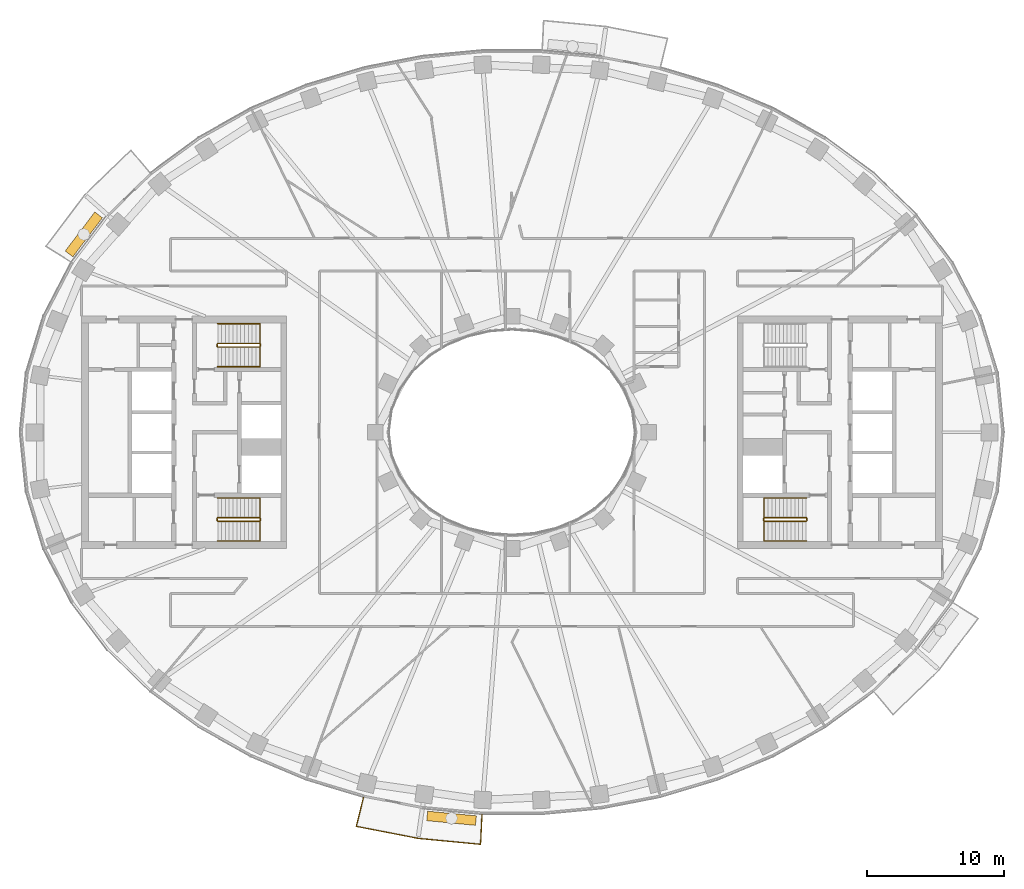
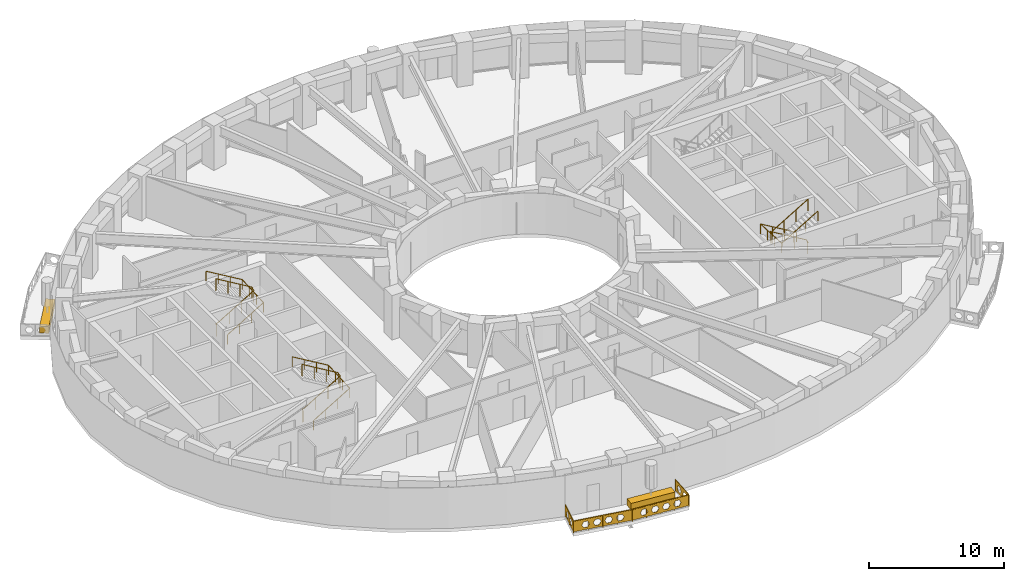
# One storey, part 14 of 16: 7 railings, 2 coverings.
"""IFC4 building model written with IfcOpenShell, lengths in metres."""

from ifc_helpers import new_model, si_unit, direction, frame, origin, origin_2d, place, context, subcontext, project, spatial, polyline, rectangle, outline, extrude, material, type_object, element, save


model = new_model("IFC4")

# Units and contexts
model_context = context("Model", 3, precision=1e-05, world=origin(), true_north=direction((0.0, 1.0)))
body_context = subcontext(model_context, "Body", "Model", "MODEL_VIEW")
ifc_project = project(units=[si_unit("LENGTHUNIT", "METRE"), si_unit("AREAUNIT", "SQUARE_METRE"), si_unit("VOLUMEUNIT", "CUBIC_METRE"), si_unit("PLANEANGLEUNIT", "RADIAN"), si_unit("MASSUNIT", "GRAM", prefix="KILO")], contexts=[model_context])

# Site, building, storey
site_placement = place(None, origin())
site = spatial("IfcSite", under=ifc_project, at=site_placement, CompositionType="ELEMENT")
building_placement = place(site_placement, origin())
building = spatial("IfcBuilding", under=site, at=building_placement, Name="Noorbagh Ring Tower", CompositionType="ELEMENT")
storey_placement = place(building_placement, frame((0.0, 0.0, 124.0)))
storey = spatial("IfcBuildingStorey", under=building, at=storey_placement, Name="L28", CompositionType="ELEMENT", Elevation=124.0)

# Railings
ifc_material_1 = material(Name="Stainless steel", Category="steel")
railing_type_1 = type_object("IfcRailingType", Name="CORE-STAIR-GUARD", PredefinedType="GUARDRAIL", material=ifc_material_1)
railing_1_placement = place(storey_placement, frame((-21.580078125, 6.300048828125, 0.0)))
element("IfcRailing", 1, at=railing_1_placement, inside=storey, type_object=railing_type_1, Name="L28 ST1 stair guard", PredefinedType="GUARDRAIL", context=body_context, shape_type="SweptSolid", body=[
    extrude(rectangle(XDim=0.048095703125, YDim=0.048095703125, at=origin_2d()), frame((0.0, 0.0, 1.076171875), z_axis=(0.0, 1.0, 0.0), x_axis=(-1.0, 0.0, 0.0)), (0.0, 0.0, 1.0), 0.14990234375),
    extrude(rectangle(XDim=0.048095703125, YDim=0.048095703125, at=origin_2d()), frame((0.0, 0.14990234375, 1.076171875), z_axis=(0.188775798145, -0.754182335027, 0.628945707965), x_axis=(0.970072785993, 0.242814311512, 0.0)), (0.0, 0.0, 1.0), 0.26513671875),
    extrude(rectangle(XDim=0.048095703125, YDim=0.048095703125, at=origin_2d()), frame((0.050048828125, -0.050048828125, 1.24267578125), z_axis=(0.859308565015, 0.0, 0.511457515432), x_axis=(0.0, 1.0, 0.0)), (0.0, 0.0, 1.0), 3.58447265625),
    extrude(rectangle(XDim=0.048095703125, YDim=0.048095703125, at=origin_2d()), frame((3.130126953125, -0.050048828125, 3.076171875), z_axis=(0.707106781187, 0.707106781187, 0.0), x_axis=(-0.707106781187, 0.707106781187, 0.0)), (0.0, 0.0, 1.0), 0.07080078125),
    extrude(rectangle(XDim=0.048095703125, YDim=0.048095703125, at=origin_2d()), frame((3.18017578125, 0.0, 3.076171875), z_axis=(0.0, 1.0, 0.0), x_axis=(-1.0, 0.0, 0.0)), (0.0, 0.0, 1.0), 0.14990234375),
    extrude(rectangle(XDim=0.048095703125, YDim=0.048095703125, at=origin_2d()), frame((3.18017578125, 0.14990234375, 3.076171875), z_axis=(-0.27628659633, 0.27628659633, 0.920506074601), x_axis=(-0.707106781187, -0.707106781187, 0.0)), (0.0, 0.0, 1.0), 0.18115234375),
    extrude(rectangle(XDim=0.048095703125, YDim=0.048095703125, at=origin_2d()), frame((3.130126953125, 0.199951171875, 3.24267578125), z_axis=(-0.859308565015, 0.0, 0.511457515432), x_axis=(0.0, -1.0, 0.0)), (0.0, 0.0, 1.0), 3.58447265625),
    extrude(rectangle(XDim=0.0419921875, YDim=0.0419921875, at=origin_2d()), origin(), (0.0, 0.0, 1.0), 1.052001953125),
    extrude(rectangle(XDim=0.0419921875, YDim=0.0419921875, at=origin_2d()), frame((1.07666015625, -0.050048828125, 0.77783203125)), (0.0, 0.0, 1.0), 1.052001953125),
    extrude(rectangle(XDim=0.0419921875, YDim=0.0419921875, at=origin_2d()), frame((2.103515625, -0.050048828125, 1.388916015625)), (0.0, 0.0, 1.0), 1.052001953125),
    extrude(rectangle(XDim=0.0419921875, YDim=0.0419921875, at=origin_2d()), frame((3.130126953125, -0.050048828125, 2.0)), (0.0, 0.0, 1.0), 1.052001953125),
    extrude(rectangle(XDim=0.0419921875, YDim=0.0419921875, at=origin_2d()), frame((3.130126953125, 0.199951171875, 2.166748046875)), (0.0, 0.0, 1.0), 1.052001953125),
    extrude(rectangle(XDim=0.0419921875, YDim=0.0419921875, at=origin_2d()), frame((2.103515625, 0.199951171875, 2.77783203125)), (0.0, 0.0, 1.0), 1.052001953125),
    extrude(rectangle(XDim=0.0419921875, YDim=0.0419921875, at=origin_2d()), frame((1.07666015625, 0.199951171875, 3.388916015625)), (0.0, 0.0, 1.0), 1.052001953125),
    extrude(rectangle(XDim=0.0419921875, YDim=0.0419921875, at=origin_2d()), frame((0.050048828125, 0.199951171875, 4.0)), (0.0, 0.0, 1.0), 1.052001953125),
])
railing_2_placement = place(storey_placement, frame((-21.580078125, -6.449951171875, 0.0)))
element("IfcRailing", 2, at=railing_2_placement, inside=storey, type_object=railing_type_1, Name="L28 ST2 stair guard", PredefinedType="GUARDRAIL", context=body_context, shape_type="SweptSolid", body=[
    extrude(rectangle(XDim=0.048095703125, YDim=0.048095703125, at=origin_2d()), frame((0.0, 0.0, 1.076171875), z_axis=(0.0, 1.0, 0.0), x_axis=(-1.0, 0.0, 0.0)), (0.0, 0.0, 1.0), 0.14990234375),
    extrude(rectangle(XDim=0.048095703125, YDim=0.048095703125, at=origin_2d()), frame((0.0, 0.14990234375, 1.076171875), z_axis=(0.188775798145, -0.754182335027, 0.628945707965), x_axis=(0.970072785993, 0.242814311512, 0.0)), (0.0, 0.0, 1.0), 0.26513671875),
    extrude(rectangle(XDim=0.048095703125, YDim=0.048095703125, at=origin_2d()), frame((0.050048828125, -0.050048828125, 1.24267578125), z_axis=(0.859308565015, 0.0, 0.511457515432), x_axis=(0.0, 1.0, 0.0)), (0.0, 0.0, 1.0), 3.58447265625),
    extrude(rectangle(XDim=0.048095703125, YDim=0.048095703125, at=origin_2d()), frame((3.130126953125, -0.050048828125, 3.076171875), z_axis=(0.707106781187, 0.707106781187, 0.0), x_axis=(-0.707106781187, 0.707106781187, 0.0)), (0.0, 0.0, 1.0), 0.07080078125),
    extrude(rectangle(XDim=0.048095703125, YDim=0.048095703125, at=origin_2d()), frame((3.18017578125, 0.0, 3.076171875), z_axis=(0.0, 1.0, 0.0), x_axis=(-1.0, 0.0, 0.0)), (0.0, 0.0, 1.0), 0.14990234375),
    extrude(rectangle(XDim=0.048095703125, YDim=0.048095703125, at=origin_2d()), frame((3.18017578125, 0.14990234375, 3.076171875), z_axis=(-0.27628659633, 0.27628659633, 0.920506074601), x_axis=(-0.707106781187, -0.707106781187, 0.0)), (0.0, 0.0, 1.0), 0.18115234375),
    extrude(rectangle(XDim=0.048095703125, YDim=0.048095703125, at=origin_2d()), frame((3.130126953125, 0.199951171875, 3.24267578125), z_axis=(-0.859308565015, 0.0, 0.511457515432), x_axis=(0.0, -1.0, 0.0)), (0.0, 0.0, 1.0), 3.58447265625),
    extrude(rectangle(XDim=0.0419921875, YDim=0.0419921875, at=origin_2d()), origin(), (0.0, 0.0, 1.0), 1.052001953125),
    extrude(rectangle(XDim=0.0419921875, YDim=0.0419921875, at=origin_2d()), frame((1.07666015625, -0.050048828125, 0.77783203125)), (0.0, 0.0, 1.0), 1.052001953125),
    extrude(rectangle(XDim=0.0419921875, YDim=0.0419921875, at=origin_2d()), frame((2.103515625, -0.050048828125, 1.388916015625)), (0.0, 0.0, 1.0), 1.052001953125),
    extrude(rectangle(XDim=0.0419921875, YDim=0.0419921875, at=origin_2d()), frame((3.130126953125, -0.050048828125, 2.0)), (0.0, 0.0, 1.0), 1.052001953125),
    extrude(rectangle(XDim=0.0419921875, YDim=0.0419921875, at=origin_2d()), frame((3.130126953125, 0.199951171875, 2.166748046875)), (0.0, 0.0, 1.0), 1.052001953125),
    extrude(rectangle(XDim=0.0419921875, YDim=0.0419921875, at=origin_2d()), frame((2.103515625, 0.199951171875, 2.77783203125)), (0.0, 0.0, 1.0), 1.052001953125),
    extrude(rectangle(XDim=0.0419921875, YDim=0.0419921875, at=origin_2d()), frame((1.07666015625, 0.199951171875, 3.388916015625)), (0.0, 0.0, 1.0), 1.052001953125),
    extrude(rectangle(XDim=0.0419921875, YDim=0.0419921875, at=origin_2d()), frame((0.050048828125, 0.199951171875, 4.0)), (0.0, 0.0, 1.0), 1.052001953125),
])
railing_3_placement = place(storey_placement, frame((21.580078125, -6.300048828125, 0.0)))
element("IfcRailing", 3, at=railing_3_placement, inside=storey, type_object=railing_type_1, Name="L28 ST4 stair guard", PredefinedType="GUARDRAIL", context=body_context, shape_type="SweptSolid", body=[
    extrude(rectangle(XDim=0.048095703125, YDim=0.048095703125, at=origin_2d()), frame((0.0, 0.0, 1.076171875), z_axis=(0.0, -1.0, 0.0), x_axis=(1.0, 0.0, 0.0)), (0.0, 0.0, 1.0), 0.14990234375),
    extrude(rectangle(XDim=0.048095703125, YDim=0.048095703125, at=origin_2d()), frame((0.0, -0.14990234375, 1.076171875), z_axis=(-0.188775798145, 0.754182335027, 0.628945707965), x_axis=(-0.970072785993, -0.242814311512, 0.0)), (0.0, 0.0, 1.0), 0.26513671875),
    extrude(rectangle(XDim=0.048095703125, YDim=0.048095703125, at=origin_2d()), frame((-0.050048828125, 0.050048828125, 1.24267578125), z_axis=(-0.859308565015, 0.0, 0.511457515432), x_axis=(0.0, -1.0, 0.0)), (0.0, 0.0, 1.0), 3.58447265625),
    extrude(rectangle(XDim=0.048095703125, YDim=0.048095703125, at=origin_2d()), frame((-3.130126953125, 0.050048828125, 3.076171875), z_axis=(-0.707106781187, -0.707106781187, 0.0), x_axis=(0.707106781187, -0.707106781187, 0.0)), (0.0, 0.0, 1.0), 0.07080078125),
    extrude(rectangle(XDim=0.048095703125, YDim=0.048095703125, at=origin_2d()), frame((-3.18017578125, 0.0, 3.076171875), z_axis=(0.0, -1.0, 0.0), x_axis=(1.0, 0.0, 0.0)), (0.0, 0.0, 1.0), 0.14990234375),
    extrude(rectangle(XDim=0.048095703125, YDim=0.048095703125, at=origin_2d()), frame((-3.18017578125, -0.14990234375, 3.076171875), z_axis=(0.27628659633, -0.27628659633, 0.920506074601), x_axis=(0.707106781187, 0.707106781187, 0.0)), (0.0, 0.0, 1.0), 0.18115234375),
    extrude(rectangle(XDim=0.048095703125, YDim=0.048095703125, at=origin_2d()), frame((-3.130126953125, -0.199951171875, 3.24267578125), z_axis=(0.859308565015, 0.0, 0.511457515432), x_axis=(0.0, 1.0, 0.0)), (0.0, 0.0, 1.0), 3.58447265625),
    extrude(rectangle(XDim=0.0419921875, YDim=0.0419921875, at=origin_2d()), origin(), (0.0, 0.0, 1.0), 1.052001953125),
    extrude(rectangle(XDim=0.0419921875, YDim=0.0419921875, at=origin_2d()), frame((-1.07666015625, 0.050048828125, 0.77783203125)), (0.0, 0.0, 1.0), 1.052001953125),
    extrude(rectangle(XDim=0.0419921875, YDim=0.0419921875, at=origin_2d()), frame((-2.103515625, 0.050048828125, 1.388916015625)), (0.0, 0.0, 1.0), 1.052001953125),
    extrude(rectangle(XDim=0.0419921875, YDim=0.0419921875, at=origin_2d()), frame((-3.130126953125, 0.050048828125, 2.0)), (0.0, 0.0, 1.0), 1.052001953125),
    extrude(rectangle(XDim=0.0419921875, YDim=0.0419921875, at=origin_2d()), frame((-3.130126953125, -0.199951171875, 2.166748046875)), (0.0, 0.0, 1.0), 1.052001953125),
    extrude(rectangle(XDim=0.0419921875, YDim=0.0419921875, at=origin_2d()), frame((-2.103515625, -0.199951171875, 2.77783203125)), (0.0, 0.0, 1.0), 1.052001953125),
    extrude(rectangle(XDim=0.0419921875, YDim=0.0419921875, at=origin_2d()), frame((-1.07666015625, -0.199951171875, 3.388916015625)), (0.0, 0.0, 1.0), 1.052001953125),
    extrude(rectangle(XDim=0.0419921875, YDim=0.0419921875, at=origin_2d()), frame((-0.050048828125, -0.199951171875, 4.0)), (0.0, 0.0, 1.0), 1.052001953125),
])
ifc_material_2 = material(Name="Stainless steel", Category="steel")
railing_type_2 = type_object("IfcRailingType", Name="CORE-STAIR-HANDRAIL", PredefinedType="HANDRAIL", material=ifc_material_2)
railing_4_placement = place(storey_placement, frame((-21.530029296875, 4.800048828125, 0.166748046875)))
element("IfcRailing", 4, at=railing_4_placement, inside=storey, type_object=railing_type_2, Name="L28 ST1 stair handrail", PredefinedType="HANDRAIL", context=body_context, shape_type="SweptSolid", body=[
    extrude(rectangle(XDim=0.048095703125, YDim=0.048095703125, at=origin_2d()), frame((0.0, 0.0, 0.8759765625), z_axis=(0.859308565015, 0.0, 0.511457515432), x_axis=(0.0, 1.0, 0.0)), (0.0, 0.0, 1.0), 3.58447265625),
    extrude(rectangle(XDim=0.048095703125, YDim=0.048095703125, at=origin_2d()), frame((3.080078125, 0.0, 2.708984375), z_axis=(0.0, 0.998601747152, 0.052863509014), x_axis=(-1.0, 0.0, 0.0)), (0.0, 0.0, 1.0), 3.154296875),
    extrude(rectangle(XDim=0.048095703125, YDim=0.048095703125, at=origin_2d()), frame((3.080078125, 3.14990234375, 2.8759765625), z_axis=(-0.859308565015, 0.0, 0.511457515432), x_axis=(0.0, -1.0, 0.0)), (0.0, 0.0, 1.0), 3.58447265625),
    extrude(rectangle(XDim=0.0419921875, YDim=0.0419921875, at=origin_2d()), origin(), (0.0, 0.0, 1.0), 0.851806640625),
    extrude(rectangle(XDim=0.0419921875, YDim=0.0419921875, at=origin_2d()), frame((1.026611328125, 0.0, 0.611083984375)), (0.0, 0.0, 1.0), 0.851806640625),
    extrude(rectangle(XDim=0.0419921875, YDim=0.0419921875, at=origin_2d()), frame((2.053466796875, 0.0, 1.22216796875)), (0.0, 0.0, 1.0), 0.851806640625),
    extrude(rectangle(XDim=0.0419921875, YDim=0.0419921875, at=origin_2d()), frame((3.080078125, 0.0, 1.833251953125)), (0.0, 0.0, 1.0), 0.851806640625),
    extrude(rectangle(XDim=0.0419921875, YDim=0.0419921875, at=origin_2d()), frame((3.080078125, 1.050048828125, 1.888916015625)), (0.0, 0.0, 1.0), 0.851806640625),
    extrude(rectangle(XDim=0.0419921875, YDim=0.0419921875, at=origin_2d()), frame((3.080078125, 2.099853515625, 1.9443359375)), (0.0, 0.0, 1.0), 0.851806640625),
    extrude(rectangle(XDim=0.0419921875, YDim=0.0419921875, at=origin_2d()), frame((3.080078125, 3.14990234375, 2.0)), (0.0, 0.0, 1.0), 0.851806640625),
    extrude(rectangle(XDim=0.0419921875, YDim=0.0419921875, at=origin_2d()), frame((2.053466796875, 3.14990234375, 2.611083984375)), (0.0, 0.0, 1.0), 0.851806640625),
    extrude(rectangle(XDim=0.0419921875, YDim=0.0419921875, at=origin_2d()), frame((1.026611328125, 3.14990234375, 3.22216796875)), (0.0, 0.0, 1.0), 0.851806640625),
    extrude(rectangle(XDim=0.0419921875, YDim=0.0419921875, at=origin_2d()), frame((0.0, 3.14990234375, 3.833251953125)), (0.0, 0.0, 1.0), 0.851806640625),
])
railing_5_placement = place(storey_placement, frame((-21.530029296875, -7.949951171875, 0.166748046875)))
element("IfcRailing", 5, at=railing_5_placement, inside=storey, type_object=railing_type_2, Name="L28 ST2 stair handrail", PredefinedType="HANDRAIL", context=body_context, shape_type="SweptSolid", body=[
    extrude(rectangle(XDim=0.048095703125, YDim=0.048095703125, at=origin_2d()), frame((0.0, 0.0, 0.8759765625), z_axis=(0.859308565015, 0.0, 0.511457515432), x_axis=(0.0, 1.0, 0.0)), (0.0, 0.0, 1.0), 3.58447265625),
    extrude(rectangle(XDim=0.048095703125, YDim=0.048095703125, at=origin_2d()), frame((3.080078125, 0.0, 2.708984375), z_axis=(0.0, 0.998601747152, 0.052863509014), x_axis=(-1.0, 0.0, 0.0)), (0.0, 0.0, 1.0), 3.154296875),
    extrude(rectangle(XDim=0.048095703125, YDim=0.048095703125, at=origin_2d()), frame((3.080078125, 3.14990234375, 2.8759765625), z_axis=(-0.859308565015, 0.0, 0.511457515432), x_axis=(0.0, -1.0, 0.0)), (0.0, 0.0, 1.0), 3.58447265625),
    extrude(rectangle(XDim=0.0419921875, YDim=0.0419921875, at=origin_2d()), origin(), (0.0, 0.0, 1.0), 0.851806640625),
    extrude(rectangle(XDim=0.0419921875, YDim=0.0419921875, at=origin_2d()), frame((1.026611328125, 0.0, 0.611083984375)), (0.0, 0.0, 1.0), 0.851806640625),
    extrude(rectangle(XDim=0.0419921875, YDim=0.0419921875, at=origin_2d()), frame((2.053466796875, 0.0, 1.22216796875)), (0.0, 0.0, 1.0), 0.851806640625),
    extrude(rectangle(XDim=0.0419921875, YDim=0.0419921875, at=origin_2d()), frame((3.080078125, 0.0, 1.833251953125)), (0.0, 0.0, 1.0), 0.851806640625),
    extrude(rectangle(XDim=0.0419921875, YDim=0.0419921875, at=origin_2d()), frame((3.080078125, 1.050048828125, 1.888916015625)), (0.0, 0.0, 1.0), 0.851806640625),
    extrude(rectangle(XDim=0.0419921875, YDim=0.0419921875, at=origin_2d()), frame((3.080078125, 2.099853515625, 1.9443359375)), (0.0, 0.0, 1.0), 0.851806640625),
    extrude(rectangle(XDim=0.0419921875, YDim=0.0419921875, at=origin_2d()), frame((3.080078125, 3.14990234375, 2.0)), (0.0, 0.0, 1.0), 0.851806640625),
    extrude(rectangle(XDim=0.0419921875, YDim=0.0419921875, at=origin_2d()), frame((2.053466796875, 3.14990234375, 2.611083984375)), (0.0, 0.0, 1.0), 0.851806640625),
    extrude(rectangle(XDim=0.0419921875, YDim=0.0419921875, at=origin_2d()), frame((1.026611328125, 3.14990234375, 3.22216796875)), (0.0, 0.0, 1.0), 0.851806640625),
    extrude(rectangle(XDim=0.0419921875, YDim=0.0419921875, at=origin_2d()), frame((0.0, 3.14990234375, 3.833251953125)), (0.0, 0.0, 1.0), 0.851806640625),
])
railing_6_placement = place(storey_placement, frame((21.530029296875, -4.800048828125, 0.166748046875)))
element("IfcRailing", 6, at=railing_6_placement, inside=storey, type_object=railing_type_2, Name="L28 ST4 stair handrail", PredefinedType="HANDRAIL", context=body_context, shape_type="SweptSolid", body=[
    extrude(rectangle(XDim=0.048095703125, YDim=0.048095703125, at=origin_2d()), frame((0.0, 0.0, 0.8759765625), z_axis=(-0.859308565015, 0.0, 0.511457515432), x_axis=(0.0, -1.0, 0.0)), (0.0, 0.0, 1.0), 3.58447265625),
    extrude(rectangle(XDim=0.048095703125, YDim=0.048095703125, at=origin_2d()), frame((-3.080078125, 0.0, 2.708984375), z_axis=(0.0, -0.998601747152, 0.052863509014), x_axis=(1.0, 0.0, 0.0)), (0.0, 0.0, 1.0), 3.154296875),
    extrude(rectangle(XDim=0.048095703125, YDim=0.048095703125, at=origin_2d()), frame((-3.080078125, -3.14990234375, 2.8759765625), z_axis=(0.859308565015, 0.0, 0.511457515432), x_axis=(0.0, 1.0, 0.0)), (0.0, 0.0, 1.0), 3.58447265625),
    extrude(rectangle(XDim=0.0419921875, YDim=0.0419921875, at=origin_2d()), origin(), (0.0, 0.0, 1.0), 0.851806640625),
    extrude(rectangle(XDim=0.0419921875, YDim=0.0419921875, at=origin_2d()), frame((-1.026611328125, 0.0, 0.611083984375)), (0.0, 0.0, 1.0), 0.851806640625),
    extrude(rectangle(XDim=0.0419921875, YDim=0.0419921875, at=origin_2d()), frame((-2.053466796875, 0.0, 1.22216796875)), (0.0, 0.0, 1.0), 0.851806640625),
    extrude(rectangle(XDim=0.0419921875, YDim=0.0419921875, at=origin_2d()), frame((-3.080078125, 0.0, 1.833251953125)), (0.0, 0.0, 1.0), 0.851806640625),
    extrude(rectangle(XDim=0.0419921875, YDim=0.0419921875, at=origin_2d()), frame((-3.080078125, -1.050048828125, 1.888916015625)), (0.0, 0.0, 1.0), 0.851806640625),
    extrude(rectangle(XDim=0.0419921875, YDim=0.0419921875, at=origin_2d()), frame((-3.080078125, -2.099853515625, 1.9443359375)), (0.0, 0.0, 1.0), 0.851806640625),
    extrude(rectangle(XDim=0.0419921875, YDim=0.0419921875, at=origin_2d()), frame((-3.080078125, -3.14990234375, 2.0)), (0.0, 0.0, 1.0), 0.851806640625),
    extrude(rectangle(XDim=0.0419921875, YDim=0.0419921875, at=origin_2d()), frame((-2.053466796875, -3.14990234375, 2.611083984375)), (0.0, 0.0, 1.0), 0.851806640625),
    extrude(rectangle(XDim=0.0419921875, YDim=0.0419921875, at=origin_2d()), frame((-1.026611328125, -3.14990234375, 3.22216796875)), (0.0, 0.0, 1.0), 0.851806640625),
    extrude(rectangle(XDim=0.0419921875, YDim=0.0419921875, at=origin_2d()), frame((0.0, -3.14990234375, 3.833251953125)), (0.0, 0.0, 1.0), 0.851806640625),
])
ifc_material_3 = material(Name="Steel S275 black powder-coated", Category="steel")
railing_type_3 = type_object("IfcRailingType", Name="ENV-GUARD", PredefinedType="GUARDRAIL", material=ifc_material_3)
railing_7_placement = place(storey_placement, frame((-10.865234375, -26.6943359375, 0.0)))
element("IfcRailing", 7, at=railing_7_placement, inside=storey, type_object=railing_type_3, Name="Balcony guard BS03", PredefinedType="GUARDRAIL", context=body_context, shape_type="SweptSolid", body=[
    extrude(rectangle(XDim=0.048095703125, YDim=0.048095703125, at=origin_2d()), frame((0.0, 0.0, 1.076171875), z_axis=(-0.239848558412, -0.970810315679, 0.0), x_axis=(0.970810315679, -0.239848558412, 0.0)), (0.0, 0.0, 1.0), 2.20263671875),
    extrude(rectangle(XDim=0.048095703125, YDim=0.048095703125, at=origin_2d()), frame((-0.5283203125, -2.138427734375, 1.076171875), z_axis=(0.981625049064, -0.1908199755, 0.0), x_axis=(0.1908199755, 0.981625049064, 0.0)), (0.0, 0.0, 1.0), 4.603271484375),
    extrude(rectangle(XDim=0.048095703125, YDim=0.048095703125, at=origin_2d()), frame((3.990478515625, -3.016845703125, 1.076171875), z_axis=(0.995477555764, -0.094997031379, 0.0), x_axis=(0.094997031379, 0.995477555764, 0.0)), (0.0, 0.0, 1.0), 4.59765625),
    extrude(rectangle(XDim=0.048095703125, YDim=0.048095703125, at=origin_2d()), frame((8.5673828125, -3.45361328125, 1.076171875), z_axis=(0.047554616162, 0.998868639252, 0.0), x_axis=(-0.998868639252, 0.047554616162, 0.0)), (0.0, 0.0, 1.0), 2.202392578125),
    extrude(rectangle(XDim=0.0419921875, YDim=0.0419921875, at=origin_2d()), origin(), (0.0, 0.0, 1.0), 1.052001953125),
    extrude(rectangle(XDim=0.0419921875, YDim=0.0419921875, at=origin_2d()), frame((-0.26416015625, -1.0693359375, 0.0)), (0.0, 0.0, 1.0), 1.052001953125),
    extrude(rectangle(XDim=0.0419921875, YDim=0.0419921875, at=origin_2d()), frame((-0.5283203125, -2.138427734375, 0.0)), (0.0, 0.0, 1.0), 1.052001953125),
    extrude(rectangle(XDim=0.0419921875, YDim=0.0419921875, at=origin_2d()), frame((0.601318359375, -2.35791015625, 0.0)), (0.0, 0.0, 1.0), 1.052001953125),
    extrude(rectangle(XDim=0.0419921875, YDim=0.0419921875, at=origin_2d()), frame((1.73095703125, -2.57763671875, 0.0)), (0.0, 0.0, 1.0), 1.052001953125),
    extrude(rectangle(XDim=0.0419921875, YDim=0.0419921875, at=origin_2d()), frame((2.86083984375, -2.79736328125, 0.0)), (0.0, 0.0, 1.0), 1.052001953125),
    extrude(rectangle(XDim=0.0419921875, YDim=0.0419921875, at=origin_2d()), frame((3.990478515625, -3.016845703125, 0.0)), (0.0, 0.0, 1.0), 1.052001953125),
    extrude(rectangle(XDim=0.0419921875, YDim=0.0419921875, at=origin_2d()), frame((5.134765625, -3.1259765625, 0.0)), (0.0, 0.0, 1.0), 1.052001953125),
    extrude(rectangle(XDim=0.0419921875, YDim=0.0419921875, at=origin_2d()), frame((6.27880859375, -3.2353515625, 0.0)), (0.0, 0.0, 1.0), 1.052001953125),
    extrude(rectangle(XDim=0.0419921875, YDim=0.0419921875, at=origin_2d()), frame((7.423095703125, -3.344482421875, 0.0)), (0.0, 0.0, 1.0), 1.052001953125),
    extrude(rectangle(XDim=0.0419921875, YDim=0.0419921875, at=origin_2d()), frame((8.5673828125, -3.45361328125, 0.0)), (0.0, 0.0, 1.0), 1.052001953125),
    extrude(rectangle(XDim=0.0419921875, YDim=0.0419921875, at=origin_2d()), frame((8.61962890625, -2.353515625, 0.0)), (0.0, 0.0, 1.0), 1.052001953125),
    extrude(rectangle(XDim=0.0419921875, YDim=0.0419921875, at=origin_2d()), frame((8.672119140625, -1.253662109375, 0.0)), (0.0, 0.0, 1.0), 1.052001953125),
    extrude(outline(polyline([(0.0, 0.10009765625), (2.20263671875, 0.10009765625), (2.20263671875, 1.031982421875), (0.0, 1.031982421875), (0.0, 0.10009765625)]), holes=[polyline([(0.96142578125, 0.56591796875), (0.806396484375, 0.83447265625), (0.496337890625, 0.83447265625), (0.34130859375, 0.56591796875), (0.496337890625, 0.297607421875), (0.806396484375, 0.297607421875), (0.96142578125, 0.56591796875)]), polyline([(1.861328125, 0.56591796875), (1.706298828125, 0.83447265625), (1.396240234375, 0.83447265625), (1.241455078125, 0.56591796875), (1.396240234375, 0.297607421875), (1.706298828125, 0.297607421875), (1.861328125, 0.56591796875)])]), frame((0.009765625, -0.00244140625, 0.0), z_axis=(-0.970810315679, 0.239848558412, 0.0), x_axis=(-0.239848558412, -0.970810315679, 0.0)), (0.0, 0.0, 1.0), 0.02001953125),
    extrude(outline(polyline([(0.0, 0.10009765625), (4.603271484375, 0.10009765625), (4.603271484375, 1.031982421875), (0.0, 1.031982421875), (0.0, 0.10009765625)]), holes=[polyline([(1.26171875, 0.56591796875), (1.106689453125, 0.83447265625), (0.796630859375, 0.83447265625), (0.6416015625, 0.56591796875), (0.796630859375, 0.297607421875), (1.106689453125, 0.297607421875), (1.26171875, 0.56591796875)]), polyline([(2.16162109375, 0.56591796875), (2.006591796875, 0.83447265625), (1.69677734375, 0.83447265625), (1.541748046875, 0.56591796875), (1.69677734375, 0.297607421875), (2.006591796875, 0.297607421875), (2.16162109375, 0.56591796875)]), polyline([(3.061767578125, 0.56591796875), (2.90673828125, 0.83447265625), (2.5966796875, 0.83447265625), (2.441650390625, 0.56591796875), (2.5966796875, 0.297607421875), (2.90673828125, 0.297607421875), (3.061767578125, 0.56591796875)]), polyline([(3.961669921875, 0.56591796875), (3.806640625, 0.83447265625), (3.49658203125, 0.83447265625), (3.341796875, 0.56591796875), (3.49658203125, 0.297607421875), (3.806640625, 0.297607421875), (3.961669921875, 0.56591796875)])]), frame((-0.5263671875, -2.128662109375, 0.0), z_axis=(-0.1908199755, -0.981625049064, 0.0), x_axis=(0.981625049064, -0.1908199755, 0.0)), (0.0, 0.0, 1.0), 0.02001953125),
    extrude(outline(polyline([(0.0, 0.10009765625), (4.59765625, 0.10009765625), (4.59765625, 1.031982421875), (0.0, 1.031982421875), (0.0, 0.10009765625)]), holes=[polyline([(1.2587890625, 0.56591796875), (1.103759765625, 0.83447265625), (0.7939453125, 0.83447265625), (0.638916015625, 0.56591796875), (0.7939453125, 0.297607421875), (1.103759765625, 0.297607421875), (1.2587890625, 0.56591796875)]), polyline([(2.158935546875, 0.56591796875), (2.00390625, 0.83447265625), (1.69384765625, 0.83447265625), (1.538818359375, 0.56591796875), (1.69384765625, 0.297607421875), (2.00390625, 0.297607421875), (2.158935546875, 0.56591796875)]), polyline([(3.058837890625, 0.56591796875), (2.90380859375, 0.83447265625), (2.59375, 0.83447265625), (2.43896484375, 0.56591796875), (2.59375, 0.297607421875), (2.90380859375, 0.297607421875), (3.058837890625, 0.56591796875)]), polyline([(3.958740234375, 0.56591796875), (3.803955078125, 0.83447265625), (3.493896484375, 0.83447265625), (3.3388671875, 0.56591796875), (3.493896484375, 0.297607421875), (3.803955078125, 0.297607421875), (3.958740234375, 0.56591796875)])]), frame((3.991455078125, -3.0068359375, 0.0), z_axis=(-0.094997031379, -0.995477555764, 0.0), x_axis=(0.995477555764, -0.094997031379, 0.0)), (0.0, 0.0, 1.0), 0.02001953125),
    extrude(outline(polyline([(0.0, 0.10009765625), (2.202392578125, 0.10009765625), (2.202392578125, 1.031982421875), (0.0, 1.031982421875), (0.0, 0.10009765625)]), holes=[polyline([(0.961181640625, 0.56591796875), (0.80615234375, 0.83447265625), (0.496337890625, 0.83447265625), (0.34130859375, 0.56591796875), (0.496337890625, 0.297607421875), (0.80615234375, 0.297607421875), (0.961181640625, 0.56591796875)]), polyline([(1.861328125, 0.56591796875), (1.706298828125, 0.83447265625), (1.396240234375, 0.83447265625), (1.2412109375, 0.56591796875), (1.396240234375, 0.297607421875), (1.706298828125, 0.297607421875), (1.861328125, 0.56591796875)])]), frame((8.557373046875, -3.453125, 0.0), z_axis=(0.998868639252, -0.047554616162, 0.0), x_axis=(0.047554616162, 0.998868639252, 0.0)), (0.0, 0.0, 1.0), 0.02001953125),
])

# Coverings
ifc_material_4 = material(Name="Concrete C30/37 planter with soil", Category="concrete")
covering_type = type_object("IfcCoveringType", Name="ENV-PLANTER", PredefinedType="CLADDING", material=ifc_material_4)
covering_1_placement = place(storey_placement, frame((-31.329833984375, 14.4833984375, 0.0), z_axis=(0.0, 0.0, 1.0), x_axis=(-0.604020184358, -0.796969018776, 0.0)))
element("IfcCovering", 8, at=covering_1_placement, inside=storey, type_object=covering_type, Name="PLANTER BN06", ObjectType="PLANTER", PredefinedType="CLADDING", context=body_context, shape_type="SweptSolid", body=[
    extrude(rectangle(XDim=3.583251953125, YDim=0.699951171875, at=origin_2d()), origin(), (0.0, 0.0, 1.0), 0.60009765625),
])
covering_2_placement = place(storey_placement, frame((-4.423828125, -28.2373046875, 0.0), z_axis=(0.0, 0.0, 1.0), x_axis=(0.995476497323, -0.095008122171, 0.0)))
element("IfcCovering", 9, at=covering_2_placement, inside=storey, type_object=covering_type, Name="PLANTER BS03", ObjectType="PLANTER", PredefinedType="CLADDING", context=body_context, shape_type="SweptSolid", body=[
    extrude(rectangle(XDim=3.58642578125, YDim=0.699951171875, at=origin_2d()), origin(), (0.0, 0.0, 1.0), 0.60009765625),
])

save(model, "model.ifc")
